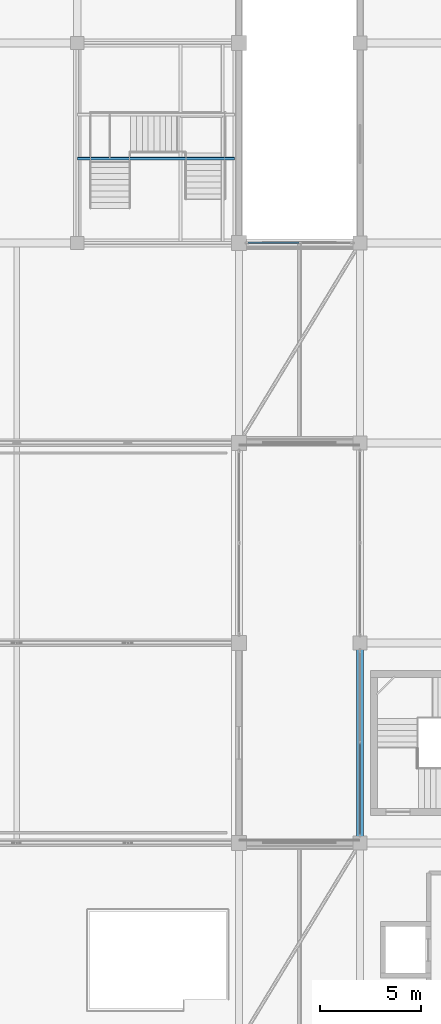
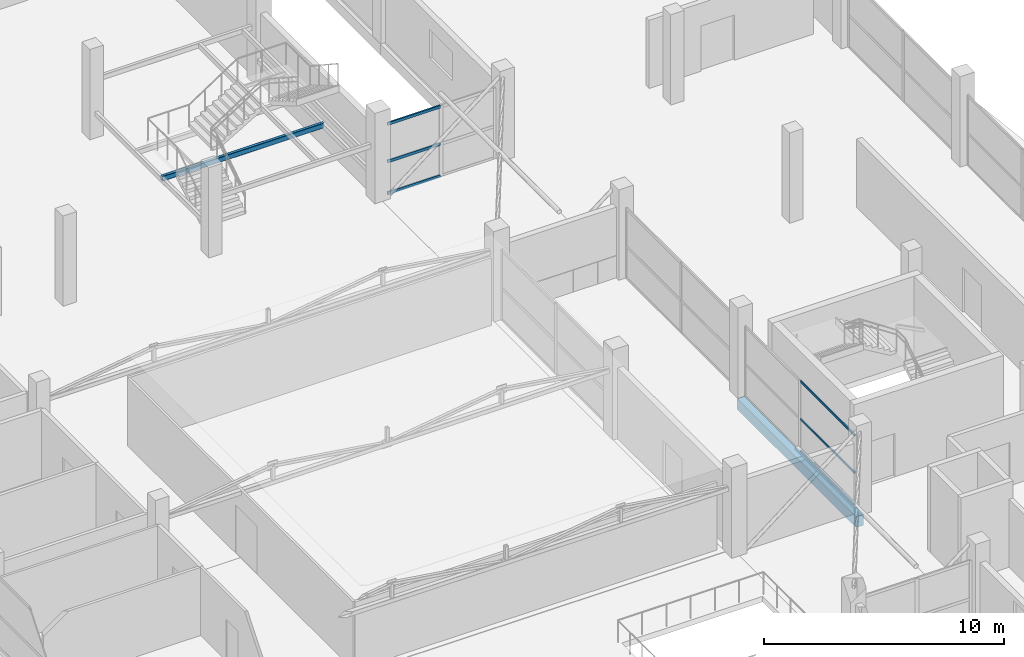
# One storey, part 31 of 69: 6 members, 2 beams, 2 elements without a shape of their own.
"""IFC4 building model written with IfcOpenShell, lengths in metres."""

from ifc_helpers import new_model, si_unit, direction, frame, origin, origin_2d, place, context, subcontext, project, spatial, rectangle, hollow_rectangle, extrude, material, layer, layer_set, material_profile, profile_set, type_object, element, aggregate, save


model = new_model("IFC4")

# Units and contexts
model_context = context("Model", 3, precision=1e-05, world=origin(), true_north=direction((0.0, 1.0)))
body_context = subcontext(model_context, "Body", "Model", "MODEL_VIEW")
ifc_project = project(units=[si_unit("LENGTHUNIT", "METRE"), si_unit("AREAUNIT", "SQUARE_METRE"), si_unit("VOLUMEUNIT", "CUBIC_METRE"), si_unit("PLANEANGLEUNIT", "RADIAN"), si_unit("MASSUNIT", "GRAM", prefix="KILO")], contexts=[model_context])

# Site, building, storey
site_placement = place(None, origin())
site = spatial("IfcSite", under=ifc_project, at=site_placement, CompositionType="ELEMENT")
building_placement = place(site_placement, origin())
building = spatial("IfcBuilding", under=site, at=building_placement, Name="Sillaruma Civic Art Gallery", CompositionType="ELEMENT")
storey_placement = place(building_placement, frame((0.0, 0.0, 42.330078125)))
storey = spatial("IfcBuildingStorey", under=building, at=storey_placement, Name="L08", CompositionType="ELEMENT", Elevation=42.330078125)

# Beams
ifc_material_1 = material(Name="Structural Steel ASTM A500 Gr.C", Category="steel")
ifc_material_profile_1 = material_profile(ifc_material_1, hollow_rectangle(XDim=0.14990234375, YDim=0.25, WallThickness=0.010009765625, InnerFilletRadius=0.010009765625, OuterFilletRadius=0.02001953125, at=origin_2d()), Name="HSS250x150x10")
ifc_profile_set_1 = profile_set([ifc_material_profile_1], Name="Structural Steel ASTM A500 Gr.C")
beam_type_1 = type_object("IfcBeamType", Name="BM-LND-HSS200", PredefinedType="BEAM", material=ifc_profile_set_1)
beam_1_placement = place(storey_placement, frame((84.0, 83.3701171875, 1.219970703125), z_axis=(1.0, 0.0, 0.0), x_axis=(0.0, 1.0, 0.0)))
element("IfcBeam", 1, at=beam_1_placement, inside=storey, type_object=beam_type_1, Name="Feature Stair L1 Girder (ST-G05-1)", PredefinedType="BEAM", context=body_context, shape_type="SweptSolid", body=[
    extrude(hollow_rectangle(XDim=0.14990234375, YDim=0.25, WallThickness=0.010009765625, InnerFilletRadius=0.010009765625, OuterFilletRadius=0.02001953125, at=origin_2d()), origin(), (0.0, 0.0, 1.0), 7.77490234375),
])
ifc_material_2 = material(Name="Concrete H35 (35 MPa)", Category="concrete")
ifc_material_profile_2 = material_profile(ifc_material_2, rectangle(XDim=0.35009765625, YDim=0.550048828125, at=origin_2d()), Name="RCB350x550")
ifc_profile_set_2 = profile_set([ifc_material_profile_2], Name="Concrete H35 (35 MPa)")
beam_type_2 = type_object("IfcBeamType", Name="BM-SPANDREL-RCB350x550", PredefinedType="SPANDREL", material=ifc_profile_set_2)
beam_2_placement = place(storey_placement, frame((98.0, 49.5, -0.55517578125), z_axis=(0.0, 1.0, 0.0), x_axis=(-1.0, 0.0, 0.0)))
element("IfcBeam", 2, at=beam_2_placement, inside=storey, type_object=beam_type_2, Name="Beam BS-04 (L07:L:6-7)", PredefinedType="SPANDREL", context=body_context, shape_type="SweptSolid", body=[
    extrude(rectangle(XDim=0.35009765625, YDim=0.550048828125, at=origin_2d()), origin(), (0.0, 0.0, 1.0), 9.89990234375),
])

# Curtain wall, members
ifc_material_3 = material(Name="Thermally Broken Extruded Aluminium 6063-T6", Category="aluminium")
ifc_layer_1 = layer(ifc_material_3, 0.159912109375, Name="Thermally Broken Extruded Aluminium 6063-T6")
ifc_layer_set_1 = layer_set([ifc_layer_1], Name="Thermally Broken Extruded Aluminium 6063-T6")
curtain_wall_type_1 = type_object("IfcCurtainWallType", Name="CW-UNI-35", PredefinedType="NOTDEFINED", material=ifc_layer_set_1)
curtain_wall_1_placement = place(storey_placement, origin())
curtain_wall_1 = element("IfcCurtainWall", 3, at=curtain_wall_1_placement, inside=storey, type_object=curtain_wall_type_1, Name="Unitised Curtain Wall CW-35 (CW-L08-EBW-4)", PredefinedType="NOTDEFINED")
ifc_material_profile_3 = material_profile(ifc_material_3, hollow_rectangle(XDim=0.06005859375, YDim=0.10009765625, WallThickness=0.003173828125, at=origin_2d()), Name="CWT60x100")
ifc_profile_set_3 = profile_set([ifc_material_profile_3], Name="Thermally Broken Extruded Aluminium 6063-T6")
member_type_1 = type_object("IfcMemberType", Name="MEM-TRN-CWT60x100", PredefinedType="USERDEFINED", material=ifc_profile_set_3)
member_1_placement = place(storey_placement, frame((98.0, 49.9150390625, 0.030029296875), z_axis=(0.0, 1.0, 0.0), x_axis=(-1.0, 0.0, 0.0)))
member_1 = element("IfcMember", 4, at=member_1_placement, type_object=member_type_1, Name="CW-35 transom 1.1", ObjectType="TRANSOM", PredefinedType="USERDEFINED", context=body_context, shape_type="SweptSolid", body=[
    extrude(hollow_rectangle(XDim=0.06005859375, YDim=0.10009765625, WallThickness=0.003173828125, at=origin_2d()), origin(), (0.0, 0.0, 1.0), 4.50244140625),
])
member_2_placement = place(storey_placement, frame((98.0, 49.9150390625, 1.6513671875), z_axis=(0.0, 1.0, 0.0), x_axis=(-1.0, 0.0, 0.0)))
member_2 = element("IfcMember", 5, at=member_2_placement, type_object=member_type_1, Name="CW-35 transom 1.2", ObjectType="TRANSOM", PredefinedType="USERDEFINED", context=body_context, shape_type="SweptSolid", body=[
    extrude(hollow_rectangle(XDim=0.06005859375, YDim=0.10009765625, WallThickness=0.003173828125, at=origin_2d()), origin(), (0.0, 0.0, 1.0), 4.50244140625),
])
member_3_placement = place(storey_placement, frame((98.0, 49.9150390625, 3.559814453125), z_axis=(0.0, 1.0, 0.0), x_axis=(-1.0, 0.0, 0.0)))
member_3 = element("IfcMember", 6, at=member_3_placement, type_object=member_type_1, Name="CW-35 transom 1.3", ObjectType="TRANSOM", PredefinedType="USERDEFINED", context=body_context, shape_type="SweptSolid", body=[
    extrude(hollow_rectangle(XDim=0.06005859375, YDim=0.10009765625, WallThickness=0.003173828125, at=origin_2d()), origin(), (0.0, 0.0, 1.0), 4.50244140625),
])
aggregate(curtain_wall_1, [member_1, member_2, member_3])

ifc_layer_2 = layer(ifc_material_3, 0.179931640625, Name="Thermally Broken Extruded Aluminium 6063-T6")
ifc_layer_set_2 = layer_set([ifc_layer_2], Name="Thermally Broken Extruded Aluminium 6063-T6")
curtain_wall_type_2 = type_object("IfcCurtainWallType", Name="CW-UNI-60", PredefinedType="NOTDEFINED", material=ifc_layer_set_2)
curtain_wall_2_placement = place(storey_placement, origin())
curtain_wall_2 = element("IfcCurtainWall", 7, at=curtain_wall_2_placement, inside=storey, type_object=curtain_wall_type_2, Name="Unitised Curtain Wall CW-60 (CW-BRG-N-L08-N)", PredefinedType="NOTDEFINED")
ifc_material_profile_4 = material_profile(ifc_material_3, hollow_rectangle(XDim=0.070068359375, YDim=0.139892578125, WallThickness=0.00390625, at=origin_2d()), Name="CWT70x140")
ifc_profile_set_4 = profile_set([ifc_material_profile_4], Name="Thermally Broken Extruded Aluminium 6063-T6")
member_type_2 = type_object("IfcMemberType", Name="MEM-TRN-CWT70x140", PredefinedType="USERDEFINED", material=ifc_profile_set_4)
member_4_placement = place(storey_placement, frame((92.445068359375, 79.199951171875, 0.034912109375), z_axis=(1.0, 0.0, 0.0), x_axis=(0.0, 1.0, 0.0)))
member_4 = element("IfcMember", 8, at=member_4_placement, type_object=member_type_2, Name="CW-60 transom 1.1", ObjectType="TRANSOM", PredefinedType="USERDEFINED", context=body_context, shape_type="SweptSolid", body=[
    extrude(hollow_rectangle(XDim=0.070068359375, YDim=0.139892578125, WallThickness=0.00390625, at=origin_2d()), origin(), (0.0, 0.0, 1.0), 2.532470703125),
])
member_5_placement = place(storey_placement, frame((92.445068359375, 79.199951171875, 1.6513671875), z_axis=(1.0, 0.0, 0.0), x_axis=(0.0, 1.0, 0.0)))
member_5 = element("IfcMember", 9, at=member_5_placement, type_object=member_type_2, Name="CW-60 transom 1.2", ObjectType="TRANSOM", PredefinedType="USERDEFINED", context=body_context, shape_type="SweptSolid", body=[
    extrude(hollow_rectangle(XDim=0.070068359375, YDim=0.139892578125, WallThickness=0.00390625, at=origin_2d()), origin(), (0.0, 0.0, 1.0), 2.532470703125),
])
member_6_placement = place(storey_placement, frame((92.445068359375, 79.199951171875, 3.554931640625), z_axis=(1.0, 0.0, 0.0), x_axis=(0.0, 1.0, 0.0)))
member_6 = element("IfcMember", 10, at=member_6_placement, type_object=member_type_2, Name="CW-60 transom 1.3", ObjectType="TRANSOM", PredefinedType="USERDEFINED", context=body_context, shape_type="SweptSolid", body=[
    extrude(hollow_rectangle(XDim=0.070068359375, YDim=0.139892578125, WallThickness=0.00390625, at=origin_2d()), origin(), (0.0, 0.0, 1.0), 2.532470703125),
])
aggregate(curtain_wall_2, [member_4, member_5, member_6])

save(model, "model.ifc")
